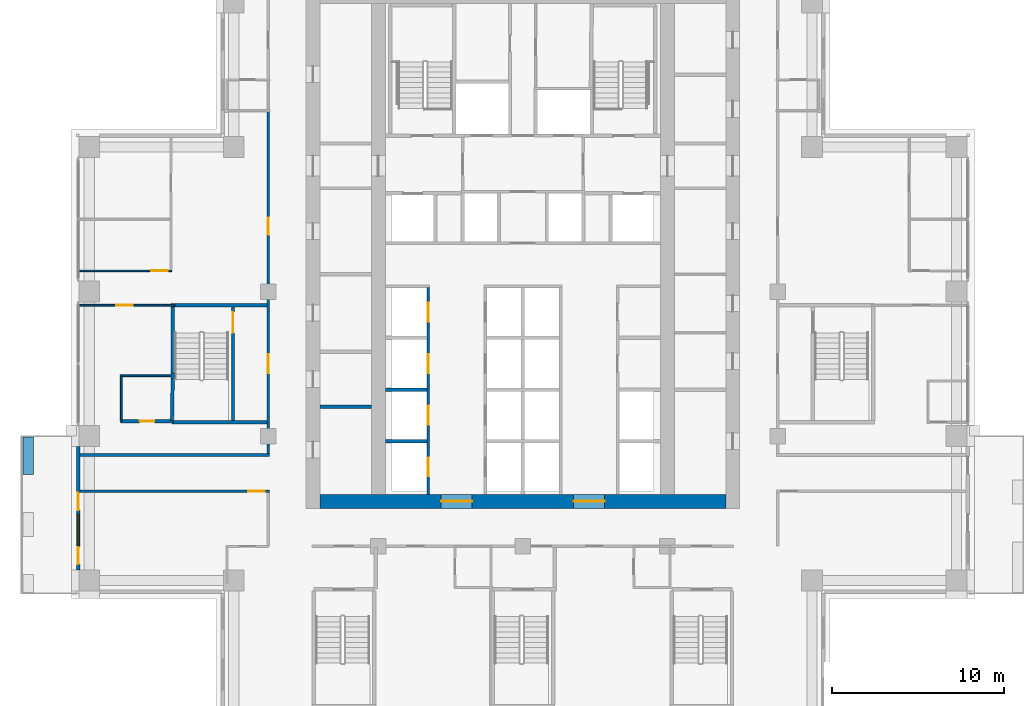
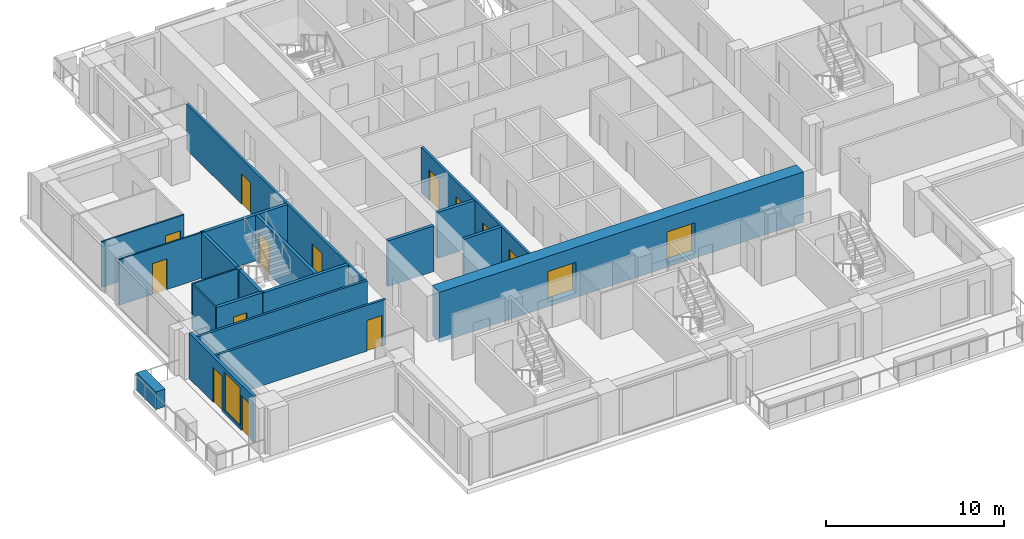
# One storey, part 9 of 18: 21 walls, 15 doors, 1 window, 16 openings.
"""IFC4 building model written with IfcOpenShell, lengths in metres."""

from ifc_helpers import new_model, si_unit, direction, frame, frame_2d, origin, place, context, subcontext, project, spatial, rectangle, extrude, material, layer, layer_set, type_object, element, fill, save


model = new_model("IFC4")

# Units and contexts
model_context = context("Model", 3, precision=1e-05, world=origin(), true_north=direction((0.0, 1.0)))
body_context = subcontext(model_context, "Body", "Model", "MODEL_VIEW")
ifc_project = project(units=[si_unit("LENGTHUNIT", "METRE"), si_unit("AREAUNIT", "SQUARE_METRE"), si_unit("VOLUMEUNIT", "CUBIC_METRE"), si_unit("PLANEANGLEUNIT", "RADIAN"), si_unit("MASSUNIT", "GRAM", prefix="KILO")], contexts=[model_context])

# Site, building, storey
site_placement = place(None, origin())
site = spatial("IfcSite", under=ifc_project, at=site_placement, CompositionType="ELEMENT")
building_placement = place(site_placement, origin())
building = spatial("IfcBuilding", under=site, at=building_placement, Name="Vermilion Ogive Tower", CompositionType="ELEMENT")
storey_placement = place(building_placement, frame((0.0, 0.0, 94.199951171875)))
storey = spatial("IfcBuildingStorey", under=building, at=storey_placement, Name="L23", CompositionType="ELEMENT", Elevation=94.199951171875)

# Wall, openings, doors
ifc_material_1 = material(Name="Concrete B80", Category="concrete")
ifc_layer_1 = layer(ifc_material_1, 0.800048828125)
ifc_layer_set_1 = layer_set([ifc_layer_1], Name="Core wall 800 B80")
wall_type_1 = type_object("IfcWallType", Name="Core wall 800 B80", PredefinedType="SHEAR", material=ifc_layer_set_1)
wall_1_placement = place(storey_placement, frame((-11.800048828125, -8.0, -0.320068359375), z_axis=(0.0, 0.0, 1.0), x_axis=(1.0, 0.0, 0.0)))
wall_1 = element("IfcWall", 1, at=wall_1_placement, inside=storey, type_object=wall_type_1, Name="L23-CORE-S", PredefinedType="SHEAR", context=body_context, shape_type="SweptSolid", body=[
    extrude(rectangle(XDim=23.60009765625, YDim=0.800048828125, at=frame_2d((11.800048828125, 0.0))), origin(), (0.0, 0.0, 1.0), 3.4501953125),
])
opening_1_placement = place(wall_1_placement, frame((7.050048828125, 0.0, 0.320068359375)))
opening_1 = element("IfcOpeningElement", 2, at=opening_1_placement, cuts=wall_1, Name="Opening DAH015", PredefinedType="OPENING", context=body_context, shape_type="SweptSolid", body=[
    extrude(rectangle(XDim=1.800048828125, YDim=2.10009765625, at=frame_2d((0.89990234375, 1.050048828125))), frame((0.0, 0.409912109375, 0.0), z_axis=(0.0, -1.0, 0.0), x_axis=(1.0, 0.0, 0.0)), (0.0, 0.0, 1.0), 0.820068359375),
])
opening_2_placement = place(wall_1_placement, frame((14.75, 0.0, 0.320068359375)))
opening_2 = element("IfcOpeningElement", 3, at=opening_2_placement, cuts=wall_1, Name="Opening DAH016", PredefinedType="OPENING", context=body_context, shape_type="SweptSolid", body=[
    extrude(rectangle(XDim=1.800048828125, YDim=2.10009765625, at=frame_2d((0.89990234375, 1.050048828125))), frame((0.0, 0.409912109375, 0.0), z_axis=(0.0, -1.0, 0.0), x_axis=(1.0, 0.0, 0.0)), (0.0, 0.0, 1.0), 0.820068359375),
])
ifc_material_2 = material(Name="Timber door leaf", Category="wood")
door_type_1 = type_object("IfcDoorType", Name="Core entry door 1800 x 2100 FD60S", OperationType="DOUBLE_DOOR_SINGLE_SWING", PredefinedType="DOOR", material=ifc_material_2)
door_1_placement = place(opening_1_placement, origin())
door_1 = element("IfcDoor", 4, at=door_1_placement, inside=storey, type_object=door_type_1, Name="L23-CK-XD1", OperationType="SINGLE_SWING_LEFT", OverallHeight=2.10009765625, OverallWidth=1.800048828125, PredefinedType="DOOR", context=body_context, shape_type="SweptSolid", body=[
    extrude(rectangle(XDim=1.800048828125, YDim=2.10009765625, at=frame_2d((0.89990234375, 1.050048828125))), frame((0.0, 0.02490234375, 0.0), z_axis=(0.0, -1.0, 0.0), x_axis=(1.0, 0.0, 0.0)), (0.0, 0.0, 1.0), 0.050048828125),
])
fill(opening_1, door_1)
door_2_placement = place(opening_2_placement, origin())
door_2 = element("IfcDoor", 5, at=door_2_placement, inside=storey, type_object=door_type_1, Name="L23-CK-XD2", OperationType="SINGLE_SWING_LEFT", OverallHeight=2.10009765625, OverallWidth=1.800048828125, PredefinedType="DOOR", context=body_context, shape_type="SweptSolid", body=[
    extrude(rectangle(XDim=1.800048828125, YDim=2.10009765625, at=frame_2d((0.89990234375, 1.050048828125))), frame((0.0, 0.02490234375, 0.0), z_axis=(0.0, -1.0, 0.0), x_axis=(1.0, 0.0, 0.0)), (0.0, 0.0, 1.0), 0.050048828125),
])
fill(opening_2, door_2)

# Walls
ifc_material_3 = material(Name="Gypsum board partition on steel studs", Category="steel")
ifc_layer_2 = layer(ifc_material_3, 0.10009765625)
ifc_layer_set_2 = layer_set([ifc_layer_2], Name="Partition 100 bath")
wall_type_2 = type_object("IfcWallType", Name="Partition 100 bath", PredefinedType="PARTITIONING", material=ifc_layer_set_2)
wall_2_placement = place(storey_placement, frame((-23.39794921875, -0.699951171875, 0.0), z_axis=(0.0, 0.0, 1.0), x_axis=(1.0, 0.0, 0.0)))
element("IfcWall", 6, at=wall_2_placement, inside=storey, type_object=wall_type_2, Name="L23-W-W022", PredefinedType="PARTITIONING", context=body_context, shape_type="SweptSolid", body=[
    extrude(rectangle(XDim=2.947998046875, YDim=0.10009765625, at=frame_2d((1.47412109375, 0.0))), origin(), (0.0, 0.0, 1.0), 3.130126953125),
])
wall_3_placement = place(storey_placement, frame((-23.35009765625, -3.347900390625, 0.0), z_axis=(0.0, 0.0, 1.0), x_axis=(0.0, 1.0, 0.0)))
element("IfcWall", 7, at=wall_3_placement, inside=storey, type_object=wall_type_2, Name="L23-W-W037", PredefinedType="PARTITIONING", context=body_context, shape_type="SweptSolid", body=[
    extrude(rectangle(XDim=2.595947265625, YDim=0.10009765625, at=frame_2d((1.2978515625, 0.0))), origin(), (0.0, 0.0, 1.0), 3.130126953125),
])

# Wall, opening, door
ifc_material_4 = material(Name="Gypsum board partition on steel studs", Category="steel")
ifc_layer_3 = layer(ifc_material_4, 0.10009765625)
ifc_layer_set_3 = layer_set([ifc_layer_3], Name="Partition 100 inner")
wall_type_3 = type_object("IfcWallType", Name="Partition 100 inner", PredefinedType="PARTITIONING", material=ifc_layer_set_3)
wall_4_placement = place(storey_placement, frame((-25.75, 3.39990234375, 0.0), z_axis=(0.0, 0.0, 1.0), x_axis=(1.0, 0.0, 0.0)))
wall_4 = element("IfcWall", 8, at=wall_4_placement, inside=storey, type_object=wall_type_3, Name="L23-W-W023", PredefinedType="PARTITIONING", context=body_context, shape_type="SweptSolid", body=[
    extrude(rectangle(XDim=5.5, YDim=0.10009765625, at=frame_2d((2.75, 0.0))), origin(), (0.0, 0.0, 1.0), 3.130126953125),
])
opening_3_placement = place(wall_4_placement, frame((2.125, 0.0, 0.0)))
opening_3 = element("IfcOpeningElement", 9, at=opening_3_placement, cuts=wall_4, Name="Opening D2G2006", PredefinedType="OPENING", context=body_context, shape_type="SweptSolid", body=[
    extrude(rectangle(XDim=0.949951171875, YDim=2.10009765625, at=frame_2d((0.47509765625, 1.050048828125))), frame((0.0, 0.06005859375, 0.0), z_axis=(0.0, -1.0, 0.0), x_axis=(1.0, 0.0, 0.0)), (0.0, 0.0, 1.0), 0.1201171875),
])
ifc_material_5 = material(Name="Timber door leaf", Category="wood")
door_type_2 = type_object("IfcDoorType", Name="Inner door 950 x 2100 FD30", OperationType="SINGLE_SWING_LEFT", PredefinedType="DOOR", material=ifc_material_5)
door_3_placement = place(opening_3_placement, origin())
door_3 = element("IfcDoor", 10, at=door_3_placement, inside=storey, type_object=door_type_2, Name="L23-D-D006", OperationType="SINGLE_SWING_LEFT", OverallHeight=2.10009765625, OverallWidth=0.949951171875, PredefinedType="DOOR", context=body_context, shape_type="SweptSolid", body=[
    extrude(rectangle(XDim=0.949951171875, YDim=2.10009765625, at=frame_2d((0.47509765625, 1.050048828125))), frame((0.0, 0.02490234375, 0.0), z_axis=(0.0, -1.0, 0.0), x_axis=(1.0, 0.0, 0.0)), (0.0, 0.0, 1.0), 0.050048828125),
])
fill(opening_3, door_3)

wall_5_placement = place(storey_placement, frame((-25.75, 5.39990234375, 0.0), z_axis=(0.0, 0.0, 1.0), x_axis=(1.0, 0.0, 0.0)))
wall_5 = element("IfcWall", 11, at=wall_5_placement, inside=storey, type_object=wall_type_3, Name="L23-W-W027", PredefinedType="PARTITIONING", context=body_context, shape_type="SweptSolid", body=[
    extrude(rectangle(XDim=5.35009765625, YDim=0.10009765625, at=frame_2d((2.675048828125, 0.0))), origin(), (0.0, 0.0, 1.0), 3.130126953125),
])
opening_4_placement = place(wall_5_placement, frame((4.14990234375, 0.0, 0.0)))
opening_4 = element("IfcOpeningElement", 12, at=opening_4_placement, cuts=wall_5, Name="Opening D2G2003", PredefinedType="OPENING", context=body_context, shape_type="SweptSolid", body=[
    extrude(rectangle(XDim=0.949951171875, YDim=2.10009765625, at=frame_2d((0.47509765625, 1.050048828125))), frame((0.0, 0.06005859375, 0.0), z_axis=(0.0, -1.0, 0.0), x_axis=(1.0, 0.0, 0.0)), (0.0, 0.0, 1.0), 0.1201171875),
])
door_4_placement = place(opening_4_placement, origin())
door_4 = element("IfcDoor", 13, at=door_4_placement, inside=storey, type_object=door_type_2, Name="L23-D-D003", OperationType="SINGLE_SWING_LEFT", OverallHeight=2.10009765625, OverallWidth=0.949951171875, PredefinedType="DOOR", context=body_context, shape_type="SweptSolid", body=[
    extrude(rectangle(XDim=0.949951171875, YDim=2.10009765625, at=frame_2d((0.47509765625, 1.050048828125))), frame((0.0, 0.02490234375, 0.0), z_axis=(0.0, -1.0, 0.0), x_axis=(1.0, 0.0, 0.0)), (0.0, 0.0, 1.0), 0.050048828125),
])
fill(opening_4, door_4)

ifc_material_6 = material(Name="Gypsum board partition on steel studs", Category="steel")
ifc_layer_4 = layer(ifc_material_6, 0.14990234375)
ifc_layer_set_4 = layer_set([ifc_layer_4], Name="Partition 150 corridor")
wall_type_4 = type_object("IfcWallType", Name="Partition 150 corridor", PredefinedType="PARTITIONING", material=ifc_layer_set_4)
wall_6_placement = place(storey_placement, frame((-25.75, -7.39990234375, 0.0), z_axis=(0.0, 0.0, 1.0), x_axis=(1.0, 0.0, 0.0)))
wall_6 = element("IfcWall", 14, at=wall_6_placement, inside=storey, type_object=wall_type_4, Name="L23-W-W013", PredefinedType="PARTITIONING", context=body_context, shape_type="SweptSolid", body=[
    extrude(rectangle(XDim=11.02490234375, YDim=0.14990234375, at=frame_2d((5.512451171875, 0.0))), origin(), (0.0, 0.0, 1.0), 3.130126953125),
])
opening_5_placement = place(wall_6_placement, frame((9.800048828125, 0.0, 0.0)))
opening_5 = element("IfcOpeningElement", 15, at=opening_5_placement, cuts=wall_6, Name="Opening D2G2001", PredefinedType="OPENING", context=body_context, shape_type="SweptSolid", body=[
    extrude(rectangle(XDim=0.949951171875, YDim=2.10009765625, at=frame_2d((0.47509765625, 1.050048828125))), frame((0.0, 0.0849609375, 0.0), z_axis=(0.0, -1.0, 0.0), x_axis=(1.0, 0.0, 0.0)), (0.0, 0.0, 1.0), 0.169921875),
])
ifc_material_7 = material(Name="Timber door leaf", Category="wood")
door_type_3 = type_object("IfcDoorType", Name="Unit door 950 x 2100 FD30S", OperationType="SINGLE_SWING_LEFT", PredefinedType="DOOR", material=ifc_material_7)
door_5_placement = place(opening_5_placement, origin())
door_5 = element("IfcDoor", 16, at=door_5_placement, inside=storey, type_object=door_type_3, Name="L23-D-D001", OperationType="SINGLE_SWING_RIGHT", OverallHeight=2.10009765625, OverallWidth=0.949951171875, PredefinedType="DOOR", context=body_context, shape_type="SweptSolid", body=[
    extrude(rectangle(XDim=0.949951171875, YDim=2.10009765625, at=frame_2d((0.47509765625, 1.050048828125))), frame((0.0, 0.02490234375, 0.0), z_axis=(0.0, -1.0, 0.0), x_axis=(1.0, 0.0, 0.0)), (0.0, 0.0, 1.0), 0.050048828125),
])
fill(opening_5, door_5)

# Wall
wall_7_placement = place(storey_placement, frame((-25.75, -5.300048828125, 0.0), z_axis=(0.0, 0.0, 1.0), x_axis=(1.0, 0.0, 0.0)))
element("IfcWall", 17, at=wall_7_placement, inside=storey, type_object=wall_type_4, Name="L23-W-W015", PredefinedType="PARTITIONING", context=body_context, shape_type="SweptSolid", body=[
    extrude(rectangle(XDim=11.02294921875, YDim=0.14990234375, at=frame_2d((5.511474609375, 0.0))), origin(), (0.0, 0.0, 1.0), 3.130126953125),
])

# Wall, openings, doors
wall_8_placement = place(storey_placement, frame((-14.800048828125, -5.222900390625, 0.0), z_axis=(0.0, 0.0, 1.0), x_axis=(0.0, 1.0, 0.0)))
wall_8 = element("IfcWall", 18, at=wall_8_placement, inside=storey, type_object=wall_type_4, Name="L23-W-W045", PredefinedType="PARTITIONING", context=body_context, shape_type="SweptSolid", body=[
    extrude(rectangle(XDim=19.872802734375, YDim=0.14990234375, at=frame_2d((9.9365234375, 0.0))), origin(), (0.0, 0.0, 1.0), 3.130126953125),
])
opening_6_placement = place(wall_8_placement, frame((12.722900390625, 0.0, 0.0)))
opening_6 = element("IfcOpeningElement", 19, at=opening_6_placement, cuts=wall_8, Name="Opening D2G2005", PredefinedType="OPENING", context=body_context, shape_type="SweptSolid", body=[
    extrude(rectangle(XDim=1.0, YDim=2.10009765625, at=frame_2d((0.5, 1.050048828125))), frame((0.0, 0.0849609375, 0.0), z_axis=(0.0, -1.0, 0.0), x_axis=(1.0, 0.0, 0.0)), (0.0, 0.0, 1.0), 0.169921875),
])
opening_7_placement = place(wall_8_placement, frame((4.6728515625, 0.0, 0.0)))
opening_7 = element("IfcOpeningElement", 20, at=opening_7_placement, cuts=wall_8, Name="Opening D2G2030", PredefinedType="OPENING", context=body_context, shape_type="SweptSolid", body=[
    extrude(rectangle(XDim=1.10009765625, YDim=2.10009765625, at=frame_2d((0.550048828125, 1.050048828125))), frame((0.0, 0.0849609375, 0.0), z_axis=(0.0, -1.0, 0.0), x_axis=(1.0, 0.0, 0.0)), (0.0, 0.0, 1.0), 0.169921875),
])
ifc_material_8 = material(Name="Timber door leaf", Category="wood")
door_type_4 = type_object("IfcDoorType", Name="Stair door 1100 x 2100 FD60S", OperationType="SINGLE_SWING_LEFT", PredefinedType="DOOR", material=ifc_material_8)
door_6_placement = place(opening_7_placement, origin())
door_6 = element("IfcDoor", 21, at=door_6_placement, inside=storey, type_object=door_type_4, Name="L23-D-D030", OperationType="SINGLE_SWING_LEFT", OverallHeight=2.10009765625, OverallWidth=1.10009765625, PredefinedType="DOOR", context=body_context, shape_type="SweptSolid", body=[
    extrude(rectangle(XDim=1.10009765625, YDim=2.10009765625, at=frame_2d((0.550048828125, 1.050048828125))), frame((0.0, 0.02490234375, 0.0), z_axis=(0.0, -1.0, 0.0), x_axis=(1.0, 0.0, 0.0)), (0.0, 0.0, 1.0), 0.050048828125),
])
fill(opening_7, door_6)
ifc_material_9 = material(Name="Timber door leaf", Category="wood")
door_type_5 = type_object("IfcDoorType", Name="Unit door 1000 x 2100 FD30S", OperationType="SINGLE_SWING_LEFT", PredefinedType="DOOR", material=ifc_material_9)
door_7_placement = place(opening_6_placement, origin())
door_7 = element("IfcDoor", 22, at=door_7_placement, inside=storey, type_object=door_type_5, Name="L23-D-D005", OperationType="SINGLE_SWING_RIGHT", OverallHeight=2.10009765625, OverallWidth=1.0, PredefinedType="DOOR", context=body_context, shape_type="SweptSolid", body=[
    extrude(rectangle(XDim=1.0, YDim=2.10009765625, at=frame_2d((0.5, 1.050048828125))), frame((0.0, 0.02490234375, 0.0), z_axis=(0.0, -1.0, 0.0), x_axis=(1.0, 0.0, 0.0)), (0.0, 0.0, 1.0), 0.050048828125),
])
fill(opening_6, door_7)

wall_9_placement = place(storey_placement, frame((-5.5, -7.59912109375, 0.0), z_axis=(0.0, 0.0, 1.0), x_axis=(0.0, 1.0, 0.0)))
wall_9 = element("IfcWall", 23, at=wall_9_placement, inside=storey, type_object=wall_type_4, Name="L23-CK-W-W022", PredefinedType="PARTITIONING", context=body_context, shape_type="SweptSolid", body=[
    extrude(rectangle(XDim=12.024169921875, YDim=0.14990234375, at=frame_2d((6.01220703125, 0.0))), origin(), (0.0, 0.0, 1.0), 3.130126953125),
])
opening_8_placement = place(wall_9_placement, frame((1.049072265625, 0.0, 0.0)))
opening_8 = element("IfcOpeningElement", 24, at=opening_8_placement, cuts=wall_9, Name="Opening DAA172", PredefinedType="OPENING", context=body_context, shape_type="SweptSolid", body=[
    extrude(rectangle(XDim=1.10009765625, YDim=2.10009765625, at=frame_2d((0.550048828125, 1.050048828125))), frame((0.0, 0.0849609375, 0.0), z_axis=(0.0, -1.0, 0.0), x_axis=(1.0, 0.0, 0.0)), (0.0, 0.0, 1.0), 0.169921875),
])
opening_9_placement = place(wall_9_placement, frame((4.049072265625, 0.0, 0.0)))
opening_9 = element("IfcOpeningElement", 25, at=opening_9_placement, cuts=wall_9, Name="Opening DAA175", PredefinedType="OPENING", context=body_context, shape_type="SweptSolid", body=[
    extrude(rectangle(XDim=1.10009765625, YDim=2.10009765625, at=frame_2d((0.550048828125, 1.050048828125))), frame((0.0, 0.0849609375, 0.0), z_axis=(0.0, -1.0, 0.0), x_axis=(1.0, 0.0, 0.0)), (0.0, 0.0, 1.0), 0.169921875),
])
opening_10_placement = place(wall_9_placement, frame((7.049072265625, 0.0, 0.0)))
opening_10 = element("IfcOpeningElement", 26, at=opening_10_placement, cuts=wall_9, Name="Opening DAA176", PredefinedType="OPENING", context=body_context, shape_type="SweptSolid", body=[
    extrude(rectangle(XDim=1.10009765625, YDim=2.10009765625, at=frame_2d((0.550048828125, 1.050048828125))), frame((0.0, 0.0849609375, 0.0), z_axis=(0.0, -1.0, 0.0), x_axis=(1.0, 0.0, 0.0)), (0.0, 0.0, 1.0), 0.169921875),
])
opening_11_placement = place(wall_9_placement, frame((10.049072265625, 0.0, 0.0)))
opening_11 = element("IfcOpeningElement", 27, at=opening_11_placement, cuts=wall_9, Name="Opening DAA177", PredefinedType="OPENING", context=body_context, shape_type="SweptSolid", body=[
    extrude(rectangle(XDim=1.10009765625, YDim=2.10009765625, at=frame_2d((0.550048828125, 1.050048828125))), frame((0.0, 0.0849609375, 0.0), z_axis=(0.0, -1.0, 0.0), x_axis=(1.0, 0.0, 0.0)), (0.0, 0.0, 1.0), 0.169921875),
])
ifc_material_10 = material(Name="Stainless steel", Category="steel")
door_type_6 = type_object("IfcDoorType", Name="Lift landing door 1100 x 2100", OperationType="SLIDING_TO_LEFT", PredefinedType="DOOR", material=ifc_material_10)
door_8_placement = place(opening_8_placement, origin())
door_8 = element("IfcDoor", 28, at=door_8_placement, inside=storey, type_object=door_type_6, Name="L23-CK-D-D001", OperationType="SLIDING_TO_LEFT", OverallHeight=2.10009765625, OverallWidth=1.10009765625, PredefinedType="DOOR", context=body_context, shape_type="SweptSolid", body=[
    extrude(rectangle(XDim=1.10009765625, YDim=2.10009765625, at=frame_2d((0.550048828125, 1.050048828125))), frame((0.0, 0.02490234375, 0.0), z_axis=(0.0, -1.0, 0.0), x_axis=(1.0, 0.0, 0.0)), (0.0, 0.0, 1.0), 0.050048828125),
])
fill(opening_8, door_8)
door_9_placement = place(opening_9_placement, origin())
door_9 = element("IfcDoor", 29, at=door_9_placement, inside=storey, type_object=door_type_6, Name="L23-CK-D-D002", OperationType="SLIDING_TO_LEFT", OverallHeight=2.10009765625, OverallWidth=1.10009765625, PredefinedType="DOOR", context=body_context, shape_type="SweptSolid", body=[
    extrude(rectangle(XDim=1.10009765625, YDim=2.10009765625, at=frame_2d((0.550048828125, 1.050048828125))), frame((0.0, 0.02490234375, 0.0), z_axis=(0.0, -1.0, 0.0), x_axis=(1.0, 0.0, 0.0)), (0.0, 0.0, 1.0), 0.050048828125),
])
fill(opening_9, door_9)
door_10_placement = place(opening_10_placement, origin())
door_10 = element("IfcDoor", 30, at=door_10_placement, inside=storey, type_object=door_type_6, Name="L23-CK-D-D003", OperationType="SLIDING_TO_LEFT", OverallHeight=2.10009765625, OverallWidth=1.10009765625, PredefinedType="DOOR", context=body_context, shape_type="SweptSolid", body=[
    extrude(rectangle(XDim=1.10009765625, YDim=2.10009765625, at=frame_2d((0.550048828125, 1.050048828125))), frame((0.0, 0.02490234375, 0.0), z_axis=(0.0, -1.0, 0.0), x_axis=(1.0, 0.0, 0.0)), (0.0, 0.0, 1.0), 0.050048828125),
])
fill(opening_10, door_10)
door_11_placement = place(opening_11_placement, origin())
door_11 = element("IfcDoor", 31, at=door_11_placement, inside=storey, type_object=door_type_6, Name="L23-CK-D-D004", OperationType="SLIDING_TO_LEFT", OverallHeight=2.10009765625, OverallWidth=1.10009765625, PredefinedType="DOOR", context=body_context, shape_type="SweptSolid", body=[
    extrude(rectangle(XDim=1.10009765625, YDim=2.10009765625, at=frame_2d((0.550048828125, 1.050048828125))), frame((0.0, 0.02490234375, 0.0), z_axis=(0.0, -1.0, 0.0), x_axis=(1.0, 0.0, 0.0)), (0.0, 0.0, 1.0), 0.050048828125),
])
fill(opening_11, door_11)

# Walls
ifc_material_11 = material(Name="Gypsum board partition on steel studs", Category="steel")
ifc_layer_5 = layer(ifc_material_11, 0.199951171875)
ifc_layer_set_5 = layer_set([ifc_layer_5], Name="Partition 200 party")
wall_type_5 = type_object("IfcWallType", Name="Partition 200 party", PredefinedType="PARTITIONING", material=ifc_layer_set_5)
for number, where, z_axis, x_axis, name in (
    (32, (-7.9990234375, -4.5, 0.0), (0.0, 0.0, 1.0), (1.0, 0.0, 0.0), "L23-CK-W-W001"),
    (33, (-7.9990234375, -1.5, 0.0), (0.0, 0.0, 1.0), (1.0, 0.0, 0.0), "L23-CK-W-W004"),
):
    element("IfcWall", number, at=place(storey_placement, frame(where, z_axis=z_axis, x_axis=x_axis)), inside=storey, type_object=wall_type_5, Name=name, PredefinedType="PARTITIONING", context=body_context, shape_type="SweptSolid", body=[
        extrude(rectangle(XDim=2.424072265625, YDim=0.199951171875, at=frame_2d((1.2119140625, 0.0))), origin(), (0.0, 0.0, 1.0), 3.130126953125),
    ])
wall_10_placement = place(storey_placement, frame((-11.799072265625, -2.5, 0.0), z_axis=(0.0, 0.0, 1.0), x_axis=(1.0, 0.0, 0.0)))
element("IfcWall", 34, at=wall_10_placement, inside=storey, type_object=wall_type_5, Name="L23-CKW-W-W001", PredefinedType="PARTITIONING", context=body_context, shape_type="SweptSolid", body=[
    extrude(rectangle(XDim=2.998046875, YDim=0.199951171875, at=frame_2d((1.4990234375, 0.0))), origin(), (0.0, 0.0, 1.0), 3.130126953125),
])

# Wall, opening, door
ifc_material_12 = material(Name="Concrete B60", Category="concrete")
ifc_layer_6 = layer(ifc_material_12, 0.199951171875)
ifc_layer_set_6 = layer_set([ifc_layer_6], Name="Stair shaft wall 200 Concrete B60")
wall_type_6 = type_object("IfcWallType", Name="Stair shaft wall 200 Concrete B60", PredefinedType="SOLIDWALL", material=ifc_layer_set_6)
wall_11_placement = place(storey_placement, frame((-23.39794921875, -3.349853515625, 0.0), z_axis=(0.0, 0.0, 1.0), x_axis=(1.0, 0.0, 0.0)))
wall_11 = element("IfcWall", 35, at=wall_11_placement, inside=storey, type_object=wall_type_6, Name="L23-W-W017", PredefinedType="SOLIDWALL", context=body_context, shape_type="SweptSolid", body=[
    extrude(rectangle(XDim=3.097900390625, YDim=0.199951171875, at=frame_2d((1.548828125, 0.0))), origin(), (0.0, 0.0, 1.0), 3.130126953125),
])
opening_12_placement = place(wall_11_placement, frame((1.123046875, 0.0, 0.0)))
opening_12 = element("IfcOpeningElement", 36, at=opening_12_placement, cuts=wall_11, Name="Opening D2G2007", PredefinedType="OPENING", context=body_context, shape_type="SweptSolid", body=[
    extrude(rectangle(XDim=0.85009765625, YDim=2.10009765625, at=frame_2d((0.425048828125, 1.050048828125))), frame((0.0, 0.10986328125, 0.0), z_axis=(0.0, -1.0, 0.0), x_axis=(1.0, 0.0, 0.0)), (0.0, 0.0, 1.0), 0.219970703125),
])
ifc_material_13 = material(Name="Timber door leaf", Category="wood")
door_type_7 = type_object("IfcDoorType", Name="Bath door 850 x 2100 FD30", OperationType="SINGLE_SWING_LEFT", PredefinedType="DOOR", material=ifc_material_13)
door_12_placement = place(opening_12_placement, origin())
door_12 = element("IfcDoor", 37, at=door_12_placement, inside=storey, type_object=door_type_7, Name="L23-D-D007", OperationType="SINGLE_SWING_LEFT", OverallHeight=2.10009765625, OverallWidth=0.85009765625, PredefinedType="DOOR", context=body_context, shape_type="SweptSolid", body=[
    extrude(rectangle(XDim=0.85009765625, YDim=2.10009765625, at=frame_2d((0.425048828125, 1.050048828125))), frame((0.0, 0.02490234375, 0.0), z_axis=(0.0, -1.0, 0.0), x_axis=(1.0, 0.0, 0.0)), (0.0, 0.0, 1.0), 0.050048828125),
])
fill(opening_12, door_12)

# Walls
wall_12_placement = place(storey_placement, frame((-20.39990234375, -3.39990234375, 0.0), z_axis=(0.0, 0.0, 1.0), x_axis=(1.0, 0.0, 0.0)))
element("IfcWall", 38, at=wall_12_placement, inside=storey, type_object=wall_type_6, Name="L23-W-W018", PredefinedType="SOLIDWALL", context=body_context, shape_type="SweptSolid", body=[
    extrude(rectangle(XDim=5.52294921875, YDim=0.199951171875, at=frame_2d((2.761474609375, 0.0))), origin(), (0.0, 0.0, 1.0), 3.130126953125),
])
wall_13_placement = place(storey_placement, frame((-20.449951171875, 3.39990234375, 0.0), z_axis=(0.0, 0.0, 1.0), x_axis=(1.0, 0.0, 0.0)))
element("IfcWall", 39, at=wall_13_placement, inside=storey, type_object=wall_type_6, Name="L23-W-W024", PredefinedType="SOLIDWALL", context=body_context, shape_type="SweptSolid", body=[
    extrude(rectangle(XDim=5.574951171875, YDim=0.199951171875, at=frame_2d((2.78759765625, 0.0))), origin(), (0.0, 0.0, 1.0), 3.130126953125),
])
wall_14_placement = place(storey_placement, frame((-20.400146484375, -3.300048828125, 0.0), z_axis=(0.0, 0.0, 1.0), x_axis=(0.019989976481, 0.999800180456, 0.0)))
element("IfcWall", 40, at=wall_14_placement, inside=storey, type_object=wall_type_6, Name="L23-W-W039", PredefinedType="SOLIDWALL", context=body_context, shape_type="SweptSolid", body=[
    extrude(rectangle(XDim=2.430419921875, YDim=0.199951171875, at=frame_2d((1.21533203125, 0.0))), origin(), (0.0, 0.0, 1.0), 3.130126953125),
])
wall_15_placement = place(storey_placement, frame((-20.35009765625, -0.52978515625, 0.0), z_axis=(0.0, 0.0, 1.0), x_axis=(0.0, 1.0, 0.0)))
element("IfcWall", 41, at=wall_15_placement, inside=storey, type_object=wall_type_6, Name="L23-W-W040", PredefinedType="SOLIDWALL", context=body_context, shape_type="SweptSolid", body=[
    extrude(rectangle(XDim=3.829833984375, YDim=0.199951171875, at=frame_2d((1.9150390625, 0.0))), origin(), (0.0, 0.0, 1.0), 3.130126953125),
])

# Wall, opening, door
wall_16_placement = place(storey_placement, frame((-16.85009765625, -3.300048828125, 0.0), z_axis=(0.0, 0.0, 1.0), x_axis=(0.0, 1.0, 0.0)))
wall_16 = element("IfcWall", 42, at=wall_16_placement, inside=storey, type_object=wall_type_6, Name="L23-W-W043", PredefinedType="SOLIDWALL", context=body_context, shape_type="SweptSolid", body=[
    extrude(rectangle(XDim=6.60009765625, YDim=0.199951171875, at=frame_2d((3.300048828125, 0.0))), origin(), (0.0, 0.0, 1.0), 3.130126953125),
])
opening_13_placement = place(wall_16_placement, frame((5.10009765625, 0.0, 0.0)))
opening_13 = element("IfcOpeningElement", 43, at=opening_13_placement, cuts=wall_16, Name="Opening D2G2031", PredefinedType="OPENING", context=body_context, shape_type="SweptSolid", body=[
    extrude(rectangle(XDim=1.199951171875, YDim=2.10009765625, at=frame_2d((0.60009765625, 1.050048828125))), frame((0.0, 0.10986328125, 0.0), z_axis=(0.0, -1.0, 0.0), x_axis=(1.0, 0.0, 0.0)), (0.0, 0.0, 1.0), 0.219970703125),
])
ifc_material_14 = material(Name="Timber door leaf", Category="wood")
door_type_8 = type_object("IfcDoorType", Name="Stair door 1200 x 2100 FD60S", OperationType="SINGLE_SWING_LEFT", PredefinedType="DOOR", material=ifc_material_14)
door_13_placement = place(opening_13_placement, origin())
door_13 = element("IfcDoor", 44, at=door_13_placement, inside=storey, type_object=door_type_8, Name="L23-D-D031", OperationType="SINGLE_SWING_RIGHT", OverallHeight=2.10009765625, OverallWidth=1.199951171875, PredefinedType="DOOR", context=body_context, shape_type="SweptSolid", body=[
    extrude(rectangle(XDim=1.199951171875, YDim=2.10009765625, at=frame_2d((0.60009765625, 1.050048828125))), frame((0.0, 0.02490234375, 0.0), z_axis=(0.0, -1.0, 0.0), x_axis=(1.0, 0.0, 0.0)), (0.0, 0.0, 1.0), 0.050048828125),
])
fill(opening_13, door_13)

# Walls
wall_17_placement = place(storey_placement, frame((-20.35009765625, -0.8701171875, 0.0), z_axis=(0.0, 0.0, 1.0), x_axis=(0.0, 1.0, 0.0)))
element("IfcWall", 45, at=wall_17_placement, inside=storey, type_object=wall_type_6, Name="L23-SW-ST9-W1", PredefinedType="SOLIDWALL", context=body_context, shape_type="SweptSolid", body=[
    extrude(rectangle(XDim=0.34033203125, YDim=0.199951171875, at=frame_2d((0.170166015625, 0.0))), origin(), (0.0, 0.0, 1.0), 3.130126953125),
])
ifc_material_15 = material(Name="Concrete B40", Category="concrete")
ifc_layer_7 = layer(ifc_material_15, 0.60009765625)
ifc_layer_set_7 = layer_set([ifc_layer_7], Name="Structural planter")
wall_type_7 = type_object("IfcWallType", Name="Structural planter", PredefinedType="USERDEFINED", material=ifc_layer_set_7)
wall_18_placement = place(storey_placement, frame((-28.75, -4.260009765625, -0.0400390625), z_axis=(0.0, 0.0, 1.0), x_axis=(0.0, -1.0, 0.0)))
element("IfcWall", 46, at=wall_18_placement, inside=storey, type_object=wall_type_7, Name="Planter W03A1", ObjectType="PLANTER", PredefinedType="USERDEFINED", context=body_context, shape_type="SweptSolid", body=[
    extrude(rectangle(XDim=2.18994140625, YDim=0.60009765625, at=frame_2d((1.094970703125, 0.0))), origin(), (0.0, 0.0, 1.0), 1.2001953125),
])

# Wall, openings, doors, window
ifc_material_16 = material(Name="Aluminium window wall framing", Category="aluminium")
ifc_layer_8 = layer(ifc_material_16, 0.199951171875)
ifc_layer_set_8 = layer_set([ifc_layer_8], Name="Window wall")
wall_type_8 = type_object("IfcWallType", Name="Window wall", PredefinedType="STANDARD", material=ifc_layer_set_8)
wall_19_placement = place(storey_placement, frame((-25.85009765625, -4.800048828125, 0.0), z_axis=(0.0, 0.0, 1.0), x_axis=(0.0, -1.0, 0.0)))
wall_19 = element("IfcWall", 47, at=wall_19_placement, inside=storey, type_object=wall_type_8, Name="Window wall W3", PredefinedType="STANDARD", context=body_context, shape_type="SweptSolid", body=[
    extrude(rectangle(XDim=7.199951171875, YDim=0.199951171875, at=frame_2d((3.60009765625, 0.0))), origin(), (0.0, 0.0, 1.0), 3.130126953125),
])
opening_14_placement = place(wall_19_placement, frame((3.949951171875, 0.0, 0.199951171875)))
opening_14 = element("IfcOpeningElement", 48, at=opening_14_placement, cuts=wall_19, Name="Opening W1-W97", PredefinedType="OPENING", context=body_context, shape_type="SweptSolid", body=[
    extrude(rectangle(XDim=1.800048828125, YDim=2.64990234375, at=frame_2d((0.89990234375, 1.324951171875))), frame((0.0, 0.10986328125, 0.0), z_axis=(0.0, -1.0, 0.0), x_axis=(1.0, 0.0, 0.0)), (0.0, 0.0, 1.0), 0.219970703125),
])
opening_15_placement = place(wall_19_placement, frame((5.85009765625, 0.0, 0.0)))
opening_15 = element("IfcOpeningElement", 49, at=opening_15_placement, cuts=wall_19, Name="Opening D1-W97", PredefinedType="OPENING", context=body_context, shape_type="SweptSolid", body=[
    extrude(rectangle(XDim=1.0, YDim=2.39990234375, at=frame_2d((0.5, 1.199951171875))), frame((0.0, 0.10986328125, 0.0), z_axis=(0.0, -1.0, 0.0), x_axis=(1.0, 0.0, 0.0)), (0.0, 0.0, 1.0), 0.219970703125),
])
opening_16_placement = place(wall_19_placement, frame((2.699951171875, 0.0, 0.0)))
opening_16 = element("IfcOpeningElement", 50, at=opening_16_placement, cuts=wall_19, Name="Opening D1-W98", PredefinedType="OPENING", context=body_context, shape_type="SweptSolid", body=[
    extrude(rectangle(XDim=1.0, YDim=2.39990234375, at=frame_2d((0.5, 1.199951171875))), frame((0.0, 0.10986328125, 0.0), z_axis=(0.0, -1.0, 0.0), x_axis=(1.0, 0.0, 0.0)), (0.0, 0.0, 1.0), 0.219970703125),
])
ifc_material_17 = material(Name="Aluminium framed glazed door", Category="aluminium")
door_type_9 = type_object("IfcDoorType", Name="Balcony door D1", OperationType="SINGLE_SWING_LEFT", PredefinedType="DOOR", material=ifc_material_17)
door_14_placement = place(opening_15_placement, origin())
door_14 = element("IfcDoor", 51, at=door_14_placement, inside=storey, type_object=door_type_9, Name="Balcony door W97", OperationType="SINGLE_SWING_LEFT", OverallHeight=2.39990234375, OverallWidth=1.0, PredefinedType="DOOR", context=body_context, shape_type="SweptSolid", body=[
    extrude(rectangle(XDim=1.0, YDim=2.39990234375, at=frame_2d((0.5, 1.199951171875))), frame((0.0, 0.02490234375, 0.0), z_axis=(0.0, -1.0, 0.0), x_axis=(1.0, 0.0, 0.0)), (0.0, 0.0, 1.0), 0.050048828125),
])
fill(opening_15, door_14)
door_15_placement = place(opening_16_placement, origin())
door_15 = element("IfcDoor", 52, at=door_15_placement, inside=storey, type_object=door_type_9, Name="Balcony door W98", OperationType="SINGLE_SWING_LEFT", OverallHeight=2.39990234375, OverallWidth=1.0, PredefinedType="DOOR", context=body_context, shape_type="SweptSolid", body=[
    extrude(rectangle(XDim=1.0, YDim=2.39990234375, at=frame_2d((0.5, 1.199951171875))), frame((0.0, 0.02490234375, 0.0), z_axis=(0.0, -1.0, 0.0), x_axis=(1.0, 0.0, 0.0)), (0.0, 0.0, 1.0), 0.050048828125),
])
fill(opening_16, door_15)
ifc_material_18 = material(Name="Aluminium framed double glazing", Category="aluminium")
window_type = type_object("IfcWindowType", Name="Guest window W1", PartitioningType="SINGLE_PANEL", PredefinedType="WINDOW", material=ifc_material_18)
window_placement = place(opening_14_placement, origin())
window = element("IfcWindow", 53, at=window_placement, inside=storey, type_object=window_type, Name="Window W97", OverallHeight=2.64990234375, OverallWidth=1.800048828125, PartitioningType="SINGLE_PANEL", PredefinedType="WINDOW", context=body_context, shape_type="SweptSolid", body=[
    extrude(rectangle(XDim=1.800048828125, YDim=2.64990234375, at=frame_2d((0.89990234375, 1.324951171875))), frame((0.0, 0.030029296875, 0.0), z_axis=(0.0, -1.0, 0.0), x_axis=(1.0, 0.0, 0.0)), (0.0, 0.0, 1.0), 0.06005859375),
])
fill(opening_14, window)

save(model, "model.ifc")
